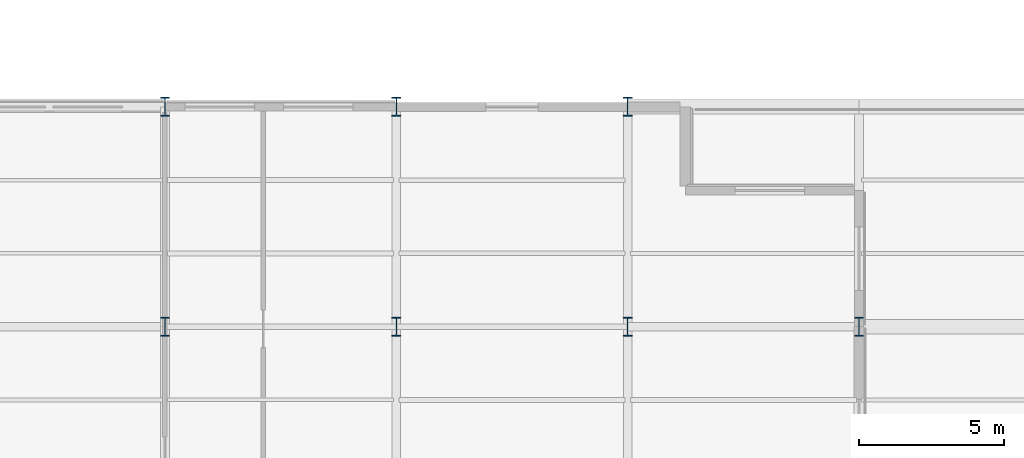
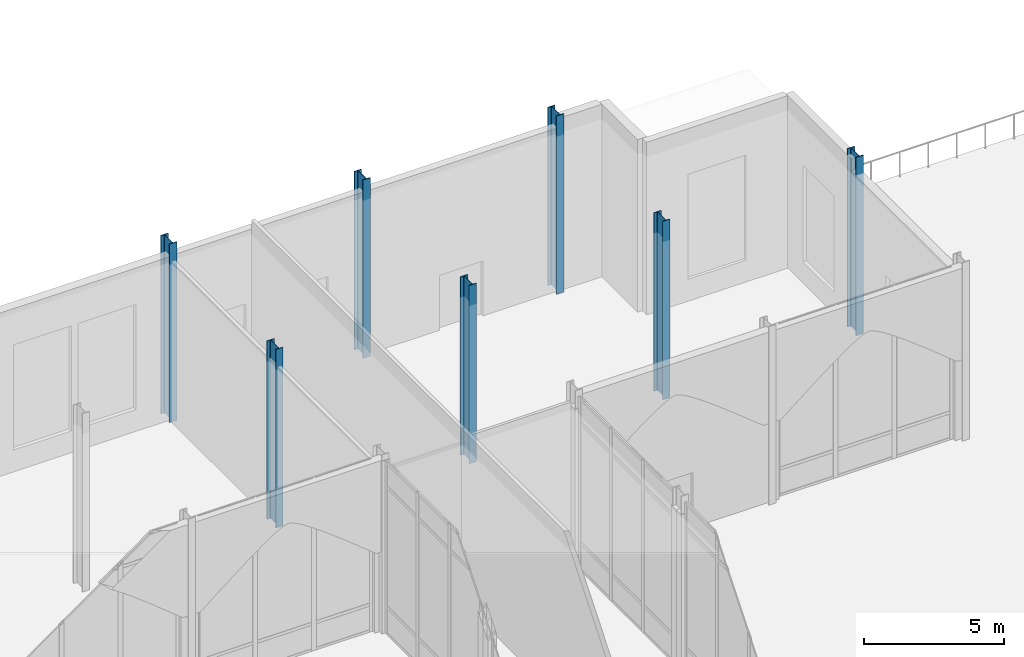
# One storey, part 25 of 176: 7 columns.
"""IFC4 building model written with IfcOpenShell, lengths in metres."""

from ifc_helpers import new_model, si_unit, direction, frame, origin, origin_2d, place, context, subcontext, project, spatial, i_section, extrude, material, material_profile, profile_set, type_object, element, save


model = new_model("IFC4")

# Units and contexts
model_context = context("Model", 3, precision=1e-05, world=origin(), true_north=direction((0.0, 1.0)))
body_context = subcontext(model_context, "Body", "Model", "MODEL_VIEW")
ifc_project = project(units=[si_unit("LENGTHUNIT", "METRE"), si_unit("AREAUNIT", "SQUARE_METRE"), si_unit("VOLUMEUNIT", "CUBIC_METRE"), si_unit("PLANEANGLEUNIT", "RADIAN"), si_unit("MASSUNIT", "GRAM", prefix="KILO")], contexts=[model_context])

# Site, building, storey
site_placement = place(None, origin())
site = spatial("IfcSite", under=ifc_project, at=site_placement, CompositionType="ELEMENT")
building_placement = place(site_placement, origin())
building = spatial("IfcBuilding", under=site, at=building_placement, Name="Vekula Escarpment Museum", CompositionType="ELEMENT")
storey_placement = place(building_placement, origin())
storey = spatial("IfcBuildingStorey", under=building, at=storey_placement, Name="L01", CompositionType="ELEMENT", Elevation=0.0)

# Columns
ifc_material = material(Name="Steel S355", Category="steel")
ifc_material_profile = material_profile(ifc_material, i_section(OverallWidth=0.300048828125, OverallDepth=0.64990234375, WebThickness=0.01611328125, FlangeThickness=0.031005859375, FilletRadius=0.027099609375, at=origin_2d()), Name="HEB 650")
ifc_profile_set = profile_set([ifc_material_profile], Name="Steel S355")
column_type = type_object("IfcColumnType", Name="COL-S-HEB650", PredefinedType="COLUMN", material=ifc_profile_set)
for number, where, z_axis, x_axis, name in (
    (1, (94.0, 128.39990234375, 0.0), (0.0, 0.0, 1.0), (1.0, 0.0, 0.0), "Column L01 (94.0,128.4)"),
    (2, (94.0, 136.0, 0.0), (0.0, 0.0, 1.0), (1.0, 0.0, 0.0), "Column L01 (94.0,136.0)"),
    (3, (102.0, 128.39990234375, 0.0), (0.0, 0.0, 1.0), (1.0, 0.0, 0.0), "Column L01 (102.0,128.4)"),
    (4, (102.0, 136.0, 0.0), (0.0, 0.0, 1.0), (1.0, 0.0, 0.0), "Column L01 (102.0,136.0)"),
    (5, (110.0, 128.39990234375, 0.0), (0.0, 0.0, 1.0), (1.0, 0.0, 0.0), "Column L01 (110.0,128.4)"),
    (6, (110.0, 136.0, 0.0), (0.0, 0.0, 1.0), (1.0, 0.0, 0.0), "Column L01 (110.0,136.0)"),
    (7, (118.0, 128.39990234375, 0.0), (0.0, 0.0, 1.0), (1.0, 0.0, 0.0), "Column L01 (118.0,128.4)"),
):
    element("IfcColumn", number, at=place(storey_placement, frame(where, z_axis=z_axis, x_axis=x_axis)), inside=storey, type_object=column_type, Name=name, PredefinedType="COLUMN", context=body_context, shape_type="SweptSolid", body=[
        extrude(i_section(OverallWidth=0.300048828125, OverallDepth=0.64990234375, WebThickness=0.01611328125, FlangeThickness=0.031005859375, FilletRadius=0.027099609375, at=origin_2d()), origin(), (0.0, 0.0, 1.0), 7.800048828125),
    ])

save(model, "model.ifc")
